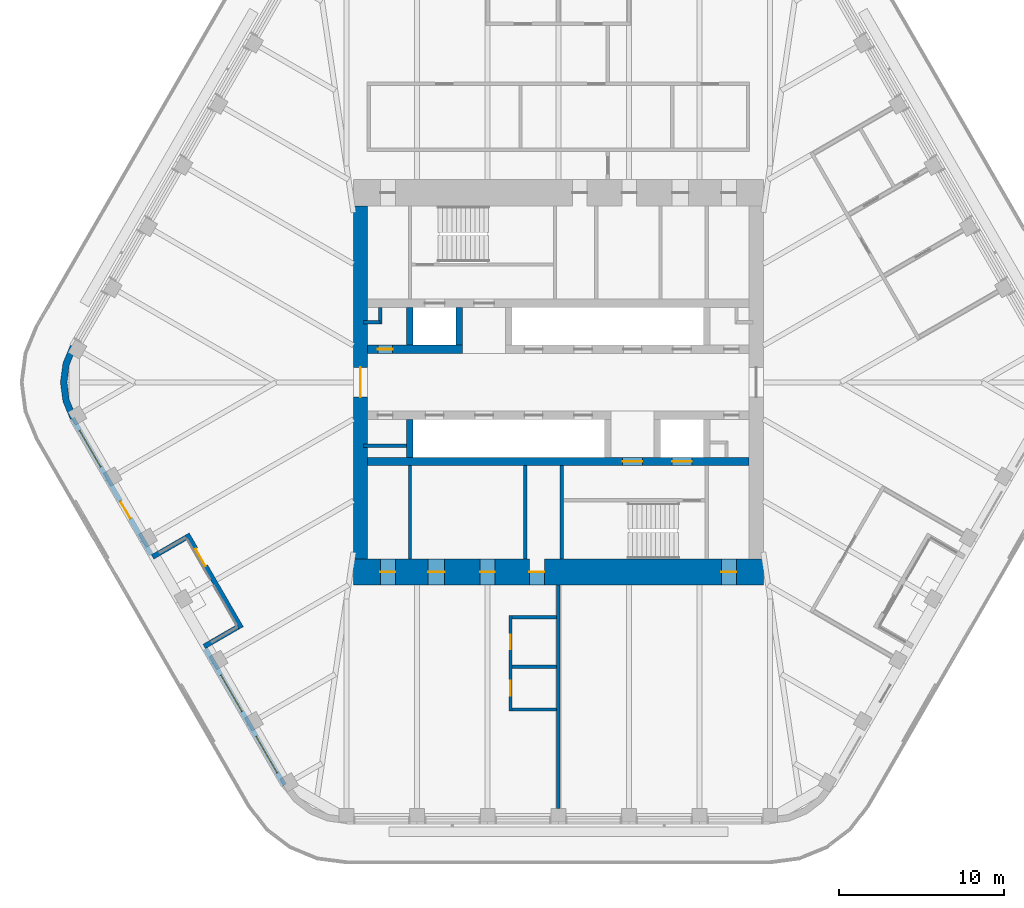
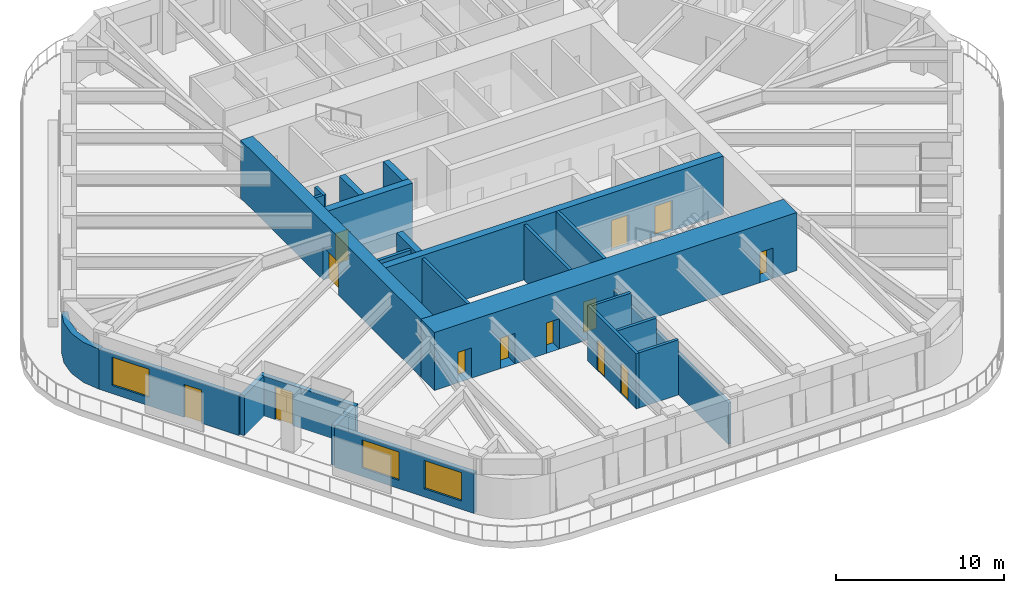
# One storey, part 13 of 19: 24 walls, 13 doors, 3 windows, 16 openings.
"""IFC4 building model written with IfcOpenShell, lengths in metres."""

from ifc_helpers import new_model, si_unit, direction, frame, frame_2d, origin, place, context, subcontext, project, spatial, polyline, rectangle, outline, extrude, material, layer, layer_set, type_object, element, fill, save


model = new_model("IFC4")

# Units and contexts
model_context = context("Model", 3, precision=1e-05, world=origin(), true_north=direction((0.0, 1.0)))
body_context = subcontext(model_context, "Body", "Model", "MODEL_VIEW")
ifc_project = project(units=[si_unit("LENGTHUNIT", "METRE"), si_unit("AREAUNIT", "SQUARE_METRE"), si_unit("VOLUMEUNIT", "CUBIC_METRE"), si_unit("PLANEANGLEUNIT", "RADIAN"), si_unit("MASSUNIT", "GRAM", prefix="KILO")], contexts=[model_context])

# Site, building, storey
site_placement = place(None, origin())
site = spatial("IfcSite", under=ifc_project, at=site_placement, CompositionType="ELEMENT")
building_placement = place(site_placement, origin())
building = spatial("IfcBuilding", under=site, at=building_placement, Name="Tarfa Lantern Tower", CompositionType="ELEMENT")
storey_placement = place(building_placement, frame((0.0, 0.0, 370.300048828125)))
storey = spatial("IfcBuildingStorey", under=building, at=storey_placement, Name="L84", CompositionType="ELEMENT", Elevation=370.300048828125)

# Wall, openings, door, window
ifc_material_1 = material(Name="Limestone cladding on blockwork", Category="masonry")
ifc_layer_1 = layer(ifc_material_1, 0.300048828125)
ifc_layer_set_1 = layer_set([ifc_layer_1], Name="EW1 STONE-CLAD WALL 300")
wall_type_1 = type_object("IfcWallType", Name="EW1 STONE-CLAD WALL 300", PredefinedType="SOLIDWALL", material=ifc_layer_set_1)
wall_1_placement = place(storey_placement, frame((-29.459228515625, -2.175048828125, 0.0), z_axis=(0.0, 0.0, 1.0), x_axis=(0.499996453679, -0.866027451244, 0.0)))
wall_1 = element("IfcWall", 1, at=wall_1_placement, inside=storey, type_object=wall_type_1, Name="Stone wall SW", PredefinedType="SOLIDWALL", context=body_context, shape_type="SweptSolid", body=[
    extrude(rectangle(XDim=9.56396484375, YDim=0.300048828125, at=frame_2d((4.781982421875, 0.0))), origin(), (0.0, 0.0, 1.0), 2.89990234375),
])
opening_1_placement = place(wall_1_placement, frame((0.865966796875, 0.0, 0.60009765625)))
opening_1 = element("IfcOpeningElement", 2, at=opening_1_placement, cuts=wall_1, Name="Opening W17", PredefinedType="OPENING", context=body_context, shape_type="SweptSolid", body=[
    extrude(rectangle(XDim=2.550048828125, YDim=2.050048828125, at=frame_2d((1.27490234375, 1.02490234375))), frame((0.0, 0.159912109375, 0.0), z_axis=(0.0, -1.0, 0.0), x_axis=(1.0, 0.0, 0.0)), (0.0, 0.0, 1.0), 0.320068359375),
])
opening_2_placement = place(wall_1_placement, frame((5.822998046875, 0.0, 0.0)))
opening_2 = element("IfcOpeningElement", 3, at=opening_2_placement, cuts=wall_1, Name="Opening D38", PredefinedType="OPENING", context=body_context, shape_type="SweptSolid", body=[
    extrude(rectangle(XDim=1.199951171875, YDim=2.39990234375, at=frame_2d((0.60009765625, 1.199951171875))), frame((0.0, 0.159912109375, 0.0), z_axis=(0.0, -1.0, 0.0), x_axis=(1.0, 0.0, 0.0)), (0.0, 0.0, 1.0), 0.320068359375),
])
ifc_material_2 = material(Name="Aluminium framed glazed door", Category="aluminium")
door_type_1 = type_object("IfcDoorType", Name="BE3 BALCONY DOOR 1200x2400", OperationType="SINGLE_SWING_RIGHT", PredefinedType="DOOR", material=ifc_material_2)
door_1_placement = place(opening_2_placement, origin())
door_1 = element("IfcDoor", 4, at=door_1_placement, inside=storey, type_object=door_type_1, Name="Balcony door SW", OperationType="SINGLE_SWING_LEFT", OverallHeight=2.39990234375, OverallWidth=1.199951171875, PredefinedType="DOOR", context=body_context, shape_type="SweptSolid", body=[
    extrude(rectangle(XDim=1.199951171875, YDim=2.39990234375, at=frame_2d((0.60009765625, 1.199951171875))), frame((0.0, 0.02490234375, 0.0), z_axis=(0.0, -1.0, 0.0), x_axis=(1.0, 0.0, 0.0)), (0.0, 0.0, 1.0), 0.050048828125),
])
fill(opening_2, door_1)
ifc_material_3 = material(Name="Aluminium frame, double glazed", Category="aluminium")
window_type = type_object("IfcWindowType", Name="W17 FULL-HEIGHT GLAZING 2550x2050", PartitioningType="SINGLE_PANEL", PredefinedType="WINDOW", material=ifc_material_3)
window_1_placement = place(opening_1_placement, origin())
window_1 = element("IfcWindow", 5, at=window_1_placement, inside=storey, type_object=window_type, Name="Window SW 1", OverallHeight=2.050048828125, OverallWidth=2.550048828125, PartitioningType="SINGLE_PANEL", PredefinedType="WINDOW", context=body_context, shape_type="SweptSolid", body=[
    extrude(rectangle(XDim=2.550048828125, YDim=2.050048828125, at=frame_2d((1.27490234375, 1.02490234375))), frame((0.0, 0.030029296875, 0.0), z_axis=(0.0, -1.0, 0.0), x_axis=(1.0, 0.0, 0.0)), (0.0, 0.0, 1.0), 0.06005859375),
])
fill(opening_1, window_1)

# Wall, openings, windows
wall_2_placement = place(storey_placement, frame((-21.395263671875, -16.142333984375, 0.0), z_axis=(0.0, 0.0, 1.0), x_axis=(0.499996453679, -0.866027451244, 0.0)))
wall_2 = element("IfcWall", 6, at=wall_2_placement, inside=storey, type_object=wall_type_1, Name="Stone wall SWB", PredefinedType="SOLIDWALL", context=body_context, shape_type="SweptSolid", body=[
    extrude(rectangle(XDim=9.56396484375, YDim=0.300048828125, at=frame_2d((4.781982421875, 0.0))), origin(), (0.0, 0.0, 1.0), 2.89990234375),
])
opening_3_placement = place(wall_2_placement, frame((1.865966796875, 0.0, 0.60009765625)))
opening_3 = element("IfcOpeningElement", 7, at=opening_3_placement, cuts=wall_2, Name="Opening W17", PredefinedType="OPENING", context=body_context, shape_type="SweptSolid", body=[
    extrude(rectangle(XDim=2.550048828125, YDim=2.050048828125, at=frame_2d((1.27490234375, 1.02490234375))), frame((0.0, 0.159912109375, 0.0), z_axis=(0.0, -1.0, 0.0), x_axis=(1.0, 0.0, 0.0)), (0.0, 0.0, 1.0), 0.320068359375),
])
opening_4_placement = place(wall_2_placement, frame((6.14794921875, 0.0, 0.60009765625)))
opening_4 = element("IfcOpeningElement", 8, at=opening_4_placement, cuts=wall_2, Name="Opening W17", PredefinedType="OPENING", context=body_context, shape_type="SweptSolid", body=[
    extrude(rectangle(XDim=2.550048828125, YDim=2.050048828125, at=frame_2d((1.27490234375, 1.02490234375))), frame((0.0, 0.159912109375, 0.0), z_axis=(0.0, -1.0, 0.0), x_axis=(1.0, 0.0, 0.0)), (0.0, 0.0, 1.0), 0.320068359375),
])
window_2_placement = place(opening_3_placement, origin())
window_2 = element("IfcWindow", 9, at=window_2_placement, inside=storey, type_object=window_type, Name="Window SWB 1", OverallHeight=2.050048828125, OverallWidth=2.550048828125, PartitioningType="SINGLE_PANEL", PredefinedType="WINDOW", context=body_context, shape_type="SweptSolid", body=[
    extrude(rectangle(XDim=2.550048828125, YDim=2.050048828125, at=frame_2d((1.27490234375, 1.02490234375))), frame((0.0, 0.030029296875, 0.0), z_axis=(0.0, -1.0, 0.0), x_axis=(1.0, 0.0, 0.0)), (0.0, 0.0, 1.0), 0.06005859375),
])
fill(opening_3, window_2)
window_3_placement = place(opening_4_placement, origin())
window_3 = element("IfcWindow", 10, at=window_3_placement, inside=storey, type_object=window_type, Name="Window SWB 2", OverallHeight=2.050048828125, OverallWidth=2.550048828125, PartitioningType="SINGLE_PANEL", PredefinedType="WINDOW", context=body_context, shape_type="SweptSolid", body=[
    extrude(rectangle(XDim=2.550048828125, YDim=2.050048828125, at=frame_2d((1.27490234375, 1.02490234375))), frame((0.0, 0.030029296875, 0.0), z_axis=(0.0, -1.0, 0.0), x_axis=(1.0, 0.0, 0.0)), (0.0, 0.0, 1.0), 0.06005859375),
])
fill(opening_4, window_3)

# Walls
for number, where, z_axis, x_axis, name in (
    (11, (-24.602294921875, -10.587646484375, 0.0), (0.0, 0.0, 1.0), (0.866016039709, 0.500016218704, 0.0), "Terrace return SW 1"),
    (12, (-21.47021484375, -16.012451171875, 0.0), (0.0, 0.0, 1.0), (0.866016039709, 0.500016218704, 0.0), "Terrace return SW 2"),
):
    element("IfcWall", number, at=place(storey_placement, frame(where, z_axis=z_axis, x_axis=x_axis)), inside=storey, type_object=wall_type_1, Name=name, PredefinedType="SOLIDWALL", context=body_context, shape_type="SweptSolid", body=[
        extrude(rectangle(XDim=2.35009765625, YDim=0.300048828125, at=frame_2d((1.175048828125, 0.0))), origin(), (0.0, 0.0, 1.0), 2.89990234375),
    ])

# Wall, opening, door
wall_3_placement = place(storey_placement, frame((-22.51220703125, -9.207763671875, 0.0), z_axis=(0.0, 0.0, 1.0), x_axis=(0.499999339774, -0.866025784966, 0.0)))
wall_3 = element("IfcWall", 13, at=wall_3_placement, inside=storey, type_object=wall_type_1, Name="Stone wall SWS", PredefinedType="SOLIDWALL", context=body_context, shape_type="SweptSolid", body=[
    extrude(rectangle(XDim=6.56396484375, YDim=0.300048828125, at=frame_2d((3.281982421875, 0.0))), origin(), (0.0, 0.0, 1.0), 2.89990234375),
])
opening_5_placement = place(wall_3_placement, frame((1.041015625, 0.0, 0.0)))
opening_5 = element("IfcOpeningElement", 14, at=opening_5_placement, cuts=wall_3, Name="Opening D39", PredefinedType="OPENING", context=body_context, shape_type="SweptSolid", body=[
    extrude(rectangle(XDim=1.199951171875, YDim=2.39990234375, at=frame_2d((0.60009765625, 1.199951171875))), frame((0.0, 0.159912109375, 0.0), z_axis=(0.0, -1.0, 0.0), x_axis=(1.0, 0.0, 0.0)), (0.0, 0.0, 1.0), 0.320068359375),
])
door_2_placement = place(opening_5_placement, origin())
door_2 = element("IfcDoor", 15, at=door_2_placement, inside=storey, type_object=door_type_1, Name="Balcony door SWS", OperationType="SINGLE_SWING_RIGHT", OverallHeight=2.39990234375, OverallWidth=1.199951171875, PredefinedType="DOOR", context=body_context, shape_type="SweptSolid", body=[
    extrude(rectangle(XDim=1.199951171875, YDim=2.39990234375, at=frame_2d((0.60009765625, 1.199951171875))), frame((0.0, 0.02490234375, 0.0), z_axis=(0.0, -1.0, 0.0), x_axis=(1.0, 0.0, 0.0)), (0.0, 0.0, 1.0), 0.050048828125),
])
fill(opening_5, door_2)

# Walls
ifc_layer_2 = layer(ifc_material_1, 0.39990234375)
ifc_layer_set_2 = layer_set([ifc_layer_2], Name="EW2 CURVED STONE CORNER 400")
wall_type_2 = type_object("IfcWallType", Name="EW2 CURVED STONE CORNER 400", PredefinedType="SOLIDWALL", material=ifc_layer_set_2)
wall_4_placement = place(storey_placement, origin())
element("IfcWall", 16, at=wall_4_placement, inside=storey, type_object=wall_type_2, Name="Stone corner NW-SW", PredefinedType="SOLIDWALL", context=body_context, shape_type="SweptSolid", body=[
    extrude(outline(polyline([(-29.589111328125, 2.25), (-30.038818359375, 1.164794921875), (-30.192138671875, 0.0), (-30.038818359375, -1.164794921875), (-29.589111328125, -2.25), (-29.24267578125, -2.050048828125), (-29.65234375, -1.061279296875), (-29.7919921875, 0.0), (-29.65234375, 1.061279296875), (-29.24267578125, 2.050048828125), (-29.589111328125, 2.25)])), origin(), (0.0, 0.0, 1.0), 2.89990234375),
])
ifc_material_4 = material(Name="Concrete blockwork", Category="masonry")
ifc_layer_3 = layer(ifc_material_4, 0.199951171875)
ifc_layer_set_3 = layer_set([ifc_layer_3], Name="IW1 BLOCKWORK PARTITION 200 EI 120")
wall_type_3 = type_object("IfcWallType", Name="IW1 BLOCKWORK PARTITION 200 EI 120", PredefinedType="PARTITIONING", material=ifc_layer_set_3)
for number, where, z_axis, x_axis, name in (
    (17, (-9.0, -5.050048828125, 0.0), (0.0, 0.0, 1.0), (0.0, -1.0, 0.0), "Core partition"),
    (18, (-2.0, -5.050048828125, 0.0), (0.0, 0.0, 1.0), (0.0, -1.0, 0.0), "Core partition"),
):
    element("IfcWall", number, at=place(storey_placement, frame(where, z_axis=z_axis, x_axis=x_axis)), inside=storey, type_object=wall_type_3, Name=name, PredefinedType="PARTITIONING", context=body_context, shape_type="SweptSolid", body=[
        extrude(rectangle(XDim=5.64990234375, YDim=0.199951171875, at=frame_2d((2.824951171875, 0.0))), origin(), (0.0, 0.0, 1.0), 4.0),
    ])
for number, where, z_axis, x_axis, name in (
    (19, (-11.800048828125, 3.64990234375, 0.0), (0.0, 0.0, 1.0), (1.0, 0.0, 0.0), "Core partition"),
    (20, (-10.800048828125, 3.550048828125, 0.0), (0.0, 0.0, 1.0), (0.0, 1.0, 0.0), "Core partition"),
):
    element("IfcWall", number, at=place(storey_placement, frame(where, z_axis=z_axis, x_axis=x_axis)), inside=storey, type_object=wall_type_3, Name=name, PredefinedType="PARTITIONING", context=body_context, shape_type="SweptSolid", body=[
        extrude(rectangle(XDim=1.0, YDim=0.199951171875, at=frame_2d((0.5, 0.0))), origin(), (0.0, 0.0, 1.0), 4.0),
    ])
wall_5_placement = place(storey_placement, frame((-9.199951171875, -3.85009765625, 0.0), z_axis=(0.0, 0.0, 1.0), x_axis=(-1.0, 0.0, 0.0)))
element("IfcWall", 21, at=wall_5_placement, inside=storey, type_object=wall_type_3, Name="Core partition", PredefinedType="PARTITIONING", context=body_context, shape_type="SweptSolid", body=[
    extrude(rectangle(XDim=2.60009765625, YDim=0.199951171875, at=frame_2d((1.300048828125, 0.0))), origin(), (0.0, 0.0, 1.0), 4.0),
])
ifc_material_5 = material(Name="Gypsum board on steel studs", Category="steel")
ifc_layer_4 = layer(ifc_material_5, 0.2099609375)
ifc_layer_set_4 = layer_set([ifc_layer_4], Name="IW2 ACOUSTIC PARTITION 200")
wall_type_4 = type_object("IfcWallType", Name="IW2 ACOUSTIC PARTITION 200", PredefinedType="PARTITIONING", material=ifc_layer_set_4)
wall_6_placement = place(storey_placement, frame((0.0, -12.300048828125, 0.0), z_axis=(0.0, 0.0, 1.0), x_axis=(0.0, -1.0, 0.0)))
element("IfcWall", 22, at=wall_6_placement, inside=storey, type_object=wall_type_4, Name="Partition", PredefinedType="PARTITIONING", context=body_context, shape_type="SweptSolid", body=[
    extrude(rectangle(XDim=13.550048828125, YDim=0.199951171875, at=frame_2d((6.77490234375, 0.0))), origin(), (0.0, 0.0, 1.0), 2.991943359375),
])

# Wall, openings, doors
wall_7_placement = place(storey_placement, frame((-2.89990234375, -14.142578125, 0.0), z_axis=(0.0, 0.0, 1.0), x_axis=(0.0, -1.0, 0.0)))
wall_7 = element("IfcWall", 23, at=wall_7_placement, inside=storey, type_object=wall_type_4, Name="Partition", PredefinedType="PARTITIONING", context=body_context, shape_type="SweptSolid", body=[
    extrude(rectangle(XDim=5.7998046875, YDim=0.199951171875, at=frame_2d((2.89990234375, 0.0))), origin(), (0.0, 0.0, 1.0), 4.0),
])
opening_6_placement = place(wall_7_placement, frame((1.14990234375, 0.0, 0.0)))
opening_6 = element("IfcOpeningElement", 24, at=opening_6_placement, cuts=wall_7, Name="Opening D31", PredefinedType="OPENING", context=body_context, shape_type="SweptSolid", body=[
    extrude(rectangle(XDim=0.89990234375, YDim=2.199951171875, at=frame_2d((0.449951171875, 1.10009765625))), frame((0.0, 0.10986328125, 0.0), z_axis=(0.0, -1.0, 0.0), x_axis=(1.0, 0.0, 0.0)), (0.0, 0.0, 1.0), 0.219970703125),
])
opening_7_placement = place(wall_7_placement, frame((3.949951171875, 0.0, 0.0)))
opening_7 = element("IfcOpeningElement", 25, at=opening_7_placement, cuts=wall_7, Name="Opening D32", PredefinedType="OPENING", context=body_context, shape_type="SweptSolid", body=[
    extrude(rectangle(XDim=0.89990234375, YDim=2.199951171875, at=frame_2d((0.449951171875, 1.10009765625))), frame((0.0, 0.10986328125, 0.0), z_axis=(0.0, -1.0, 0.0), x_axis=(1.0, 0.0, 0.0)), (0.0, 0.0, 1.0), 0.219970703125),
])
ifc_material_6 = material(Name="Timber door", Category="wood")
door_type_2 = type_object("IfcDoorType", Name="DR3 ROOM DOOR 900x2200", OperationType="SINGLE_SWING_LEFT", PredefinedType="DOOR", material=ifc_material_6)
door_3_placement = place(opening_6_placement, origin())
door_3 = element("IfcDoor", 26, at=door_3_placement, inside=storey, type_object=door_type_2, Name="Wellness room door", OperationType="SINGLE_SWING_RIGHT", OverallHeight=2.199951171875, OverallWidth=0.89990234375, PredefinedType="DOOR", context=body_context, shape_type="SweptSolid", body=[
    extrude(rectangle(XDim=0.89990234375, YDim=2.199951171875, at=frame_2d((0.449951171875, 1.10009765625))), frame((0.0, 0.02490234375, 0.0), z_axis=(0.0, -1.0, 0.0), x_axis=(1.0, 0.0, 0.0)), (0.0, 0.0, 1.0), 0.050048828125),
])
fill(opening_6, door_3)
door_4_placement = place(opening_7_placement, origin())
door_4 = element("IfcDoor", 27, at=door_4_placement, inside=storey, type_object=door_type_2, Name="Quiet room door", OperationType="SINGLE_SWING_LEFT", OverallHeight=2.199951171875, OverallWidth=0.89990234375, PredefinedType="DOOR", context=body_context, shape_type="SweptSolid", body=[
    extrude(rectangle(XDim=0.89990234375, YDim=2.199951171875, at=frame_2d((0.449951171875, 1.10009765625))), frame((0.0, 0.02490234375, 0.0), z_axis=(0.0, -1.0, 0.0), x_axis=(1.0, 0.0, 0.0)), (0.0, 0.0, 1.0), 0.050048828125),
])
fill(opening_7, door_4)

# Walls
for number, where, z_axis, x_axis, name in (
    (28, (-0.10009765625, -14.242431640625, 0.0), (0.0, 0.0, 1.0), (-1.0, 0.0, 0.0), "Partition"),
    (29, (-0.10009765625, -17.242431640625, 0.0), (0.0, 0.0, 1.0), (-1.0, 0.0, 0.0), "Partition"),
    (30, (-0.10009765625, -19.842529296875, 0.0), (0.0, 0.0, 1.0), (-1.0, 0.0, 0.0), "Partition"),
):
    element("IfcWall", number, at=place(storey_placement, frame(where, z_axis=z_axis, x_axis=x_axis)), inside=storey, type_object=wall_type_4, Name=name, PredefinedType="PARTITIONING", context=body_context, shape_type="SweptSolid", body=[
        extrude(rectangle(XDim=2.699951171875, YDim=0.199951171875, at=frame_2d((1.35009765625, 0.0))), origin(), (0.0, 0.0, 1.0), 4.0),
    ])
ifc_material_7 = material(Name="Concrete C80/95", Category="concrete")
ifc_layer_5 = layer(ifc_material_7, 0.199951171875)
ifc_layer_set_5 = layer_set([ifc_layer_5], Name="SW12 CORE WALL 200")
wall_type_5 = type_object("IfcWallType", Name="SW12 CORE WALL 200", PredefinedType="SHEAR", material=ifc_layer_set_5)
wall_8_placement = place(storey_placement, frame((0.199951171875, -5.050048828125, 0.0), z_axis=(0.0, 0.0, 1.0), x_axis=(0.0, -1.0, 0.0)))
element("IfcWall", 31, at=wall_8_placement, inside=storey, type_object=wall_type_5, Name="Core wall stair shaft S", PredefinedType="SHEAR", context=body_context, shape_type="SweptSolid", body=[
    extrude(rectangle(XDim=5.64990234375, YDim=0.199951171875, at=frame_2d((2.824951171875, 0.0))), origin(), (0.0, 0.0, 1.0), 4.199951171875),
])

# Wall, opening, door
ifc_layer_6 = layer(ifc_material_7, 0.85009765625)
ifc_layer_set_6 = layer_set([ifc_layer_6], Name="SW3 CORE WALL 850")
wall_type_6 = type_object("IfcWallType", Name="SW3 CORE WALL 850", PredefinedType="SHEAR", material=ifc_layer_set_6)
wall_9_placement = place(storey_placement, frame((-12.0, 10.699951171875, 0.0), z_axis=(0.0, 0.0, 1.0), x_axis=(0.0, -1.0, 0.0)))
wall_9 = element("IfcWall", 32, at=wall_9_placement, inside=storey, type_object=wall_type_6, Name="Core wall W", PredefinedType="SHEAR", context=body_context, shape_type="SweptSolid", body=[
    extrude(rectangle(XDim=21.39990234375, YDim=0.85009765625, at=frame_2d((10.699951171875, 0.0))), origin(), (0.0, 0.0, 1.0), 4.199951171875),
])
opening_8_placement = place(wall_9_placement, frame((9.800048828125, 0.0, 0.0)))
opening_8 = element("IfcOpeningElement", 33, at=opening_8_placement, cuts=wall_9, Name="Opening D08", PredefinedType="OPENING", context=body_context, shape_type="SweptSolid", body=[
    extrude(rectangle(XDim=1.800048828125, YDim=2.39990234375, at=frame_2d((0.89990234375, 1.199951171875))), frame((0.0, 0.43505859375, 0.0), z_axis=(0.0, -1.0, 0.0), x_axis=(1.0, 0.0, 0.0)), (0.0, 0.0, 1.0), 0.8701171875),
])
ifc_material_8 = material(Name="Steel fire door", Category="steel")
door_type_3 = type_object("IfcDoorType", Name="DL1 LOBBY DOOR 1800x2400", OperationType="DOUBLE_DOOR_SINGLE_SWING", PredefinedType="DOOR", material=ifc_material_8)
door_5_placement = place(opening_8_placement, frame((1.800048828125, 0.0, 0.0), z_axis=(0.0, 0.0, 1.0), x_axis=(-1.0, 0.0, 0.0)))
door_5 = element("IfcDoor", 34, at=door_5_placement, inside=storey, type_object=door_type_3, Name="Lift lobby door", OperationType="DOUBLE_DOOR_SINGLE_SWING", OverallHeight=2.39990234375, OverallWidth=1.800048828125, PredefinedType="DOOR", context=body_context, shape_type="SweptSolid", body=[
    extrude(rectangle(XDim=1.800048828125, YDim=2.39990234375, at=frame_2d((0.89990234375, 1.199951171875))), frame((0.0, 0.02490234375, 0.0), z_axis=(0.0, -1.0, 0.0), x_axis=(1.0, 0.0, 0.0)), (0.0, 0.0, 1.0), 0.050048828125),
])
fill(opening_8, door_5)

ifc_layer_7 = layer(ifc_material_7, 0.5)
ifc_layer_set_7 = layer_set([ifc_layer_7], Name="SW5 CORE WALL 500")
wall_type_7 = type_object("IfcWallType", Name="SW5 CORE WALL 500", PredefinedType="SHEAR", material=ifc_layer_set_7)
wall_10_placement = place(storey_placement, frame((-11.574951171875, 2.0, 0.0), z_axis=(0.0, 0.0, 1.0), x_axis=(1.0, 0.0, 0.0)))
wall_10 = element("IfcWall", 35, at=wall_10_placement, inside=storey, type_object=wall_type_7, Name="Core wall lobby west N", PredefinedType="SHEAR", context=body_context, shape_type="SweptSolid", body=[
    extrude(rectangle(XDim=5.77490234375, YDim=0.5, at=frame_2d((2.887451171875, 0.0))), origin(), (0.0, 0.0, 1.0), 4.199951171875),
])
opening_9_placement = place(wall_10_placement, frame((0.625, 0.0, 0.0)))
opening_9 = element("IfcOpeningElement", 36, at=opening_9_placement, cuts=wall_10, Name="Opening D11", PredefinedType="OPENING", context=body_context, shape_type="SweptSolid", body=[
    extrude(rectangle(XDim=0.89990234375, YDim=2.199951171875, at=frame_2d((0.449951171875, 1.10009765625))), frame((0.0, 0.260009765625, 0.0), z_axis=(0.0, -1.0, 0.0), x_axis=(1.0, 0.0, 0.0)), (0.0, 0.0, 1.0), 0.52001953125),
])
door_type_4 = type_object("IfcDoorType", Name="DF6 SERVICE ROOM DOOR 900x2200", OperationType="SINGLE_SWING_LEFT", PredefinedType="DOOR", material=ifc_material_8)
door_6_placement = place(opening_9_placement, origin())
door_6 = element("IfcDoor", 37, at=door_6_placement, inside=storey, type_object=door_type_4, Name="Service room door", OperationType="SINGLE_SWING_RIGHT", OverallHeight=2.199951171875, OverallWidth=0.89990234375, PredefinedType="DOOR", context=body_context, shape_type="SweptSolid", body=[
    extrude(rectangle(XDim=0.89990234375, YDim=2.199951171875, at=frame_2d((0.449951171875, 1.10009765625))), frame((0.0, 0.02490234375, 0.0), z_axis=(0.0, -1.0, 0.0), x_axis=(1.0, 0.0, 0.0)), (0.0, 0.0, 1.0), 0.050048828125),
])
fill(opening_9, door_6)

# Wall, openings, doors
wall_11_placement = place(storey_placement, frame((11.574951171875, -4.800048828125, 0.0), z_axis=(0.0, 0.0, 1.0), x_axis=(-1.0, 0.0, 0.0)))
wall_11 = element("IfcWall", 38, at=wall_11_placement, inside=storey, type_object=wall_type_7, Name="Core wall rear S", PredefinedType="SHEAR", context=body_context, shape_type="SweptSolid", body=[
    extrude(rectangle(XDim=23.14990234375, YDim=0.5, at=frame_2d((11.574951171875, 0.0))), origin(), (0.0, 0.0, 1.0), 4.199951171875),
])
opening_10_placement = place(wall_11_placement, frame((6.47509765625, 0.0, 0.0)))
opening_10 = element("IfcOpeningElement", 39, at=opening_10_placement, cuts=wall_11, Name="Opening D06", PredefinedType="OPENING", context=body_context, shape_type="SweptSolid", body=[
    extrude(rectangle(XDim=1.199951171875, YDim=2.199951171875, at=frame_2d((0.60009765625, 1.10009765625))), frame((0.0, 0.260009765625, 0.0), z_axis=(0.0, -1.0, 0.0), x_axis=(1.0, 0.0, 0.0)), (0.0, 0.0, 1.0), 0.52001953125),
])
opening_11_placement = place(wall_11_placement, frame((3.47509765625, 0.0, 0.0)))
opening_11 = element("IfcOpeningElement", 40, at=opening_11_placement, cuts=wall_11, Name="Opening LD02", PredefinedType="OPENING", context=body_context, shape_type="SweptSolid", body=[
    extrude(rectangle(XDim=1.199951171875, YDim=2.199951171875, at=frame_2d((0.60009765625, 1.10009765625))), frame((0.0, 0.260009765625, 0.0), z_axis=(0.0, -1.0, 0.0), x_axis=(1.0, 0.0, 0.0)), (0.0, 0.0, 1.0), 0.52001953125),
])
door_type_5 = type_object("IfcDoorType", Name="DF1 FIREFIGHTING LOBBY DOOR 1200x2200", OperationType="SINGLE_SWING_LEFT", PredefinedType="DOOR", material=ifc_material_8)
door_7_placement = place(opening_10_placement, origin())
door_7 = element("IfcDoor", 41, at=door_7_placement, inside=storey, type_object=door_type_5, Name="Firefighting lobby door", OperationType="SINGLE_SWING_LEFT", OverallHeight=2.199951171875, OverallWidth=1.199951171875, PredefinedType="DOOR", context=body_context, shape_type="SweptSolid", body=[
    extrude(rectangle(XDim=1.199951171875, YDim=2.199951171875, at=frame_2d((0.60009765625, 1.10009765625))), frame((0.0, 0.02490234375, 0.0), z_axis=(0.0, -1.0, 0.0), x_axis=(1.0, 0.0, 0.0)), (0.0, 0.0, 1.0), 0.050048828125),
])
fill(opening_10, door_7)
ifc_material_9 = material(Name="Stainless steel lift door", Category="steel")
door_type_6 = type_object("IfcDoorType", Name="LD1 LIFT LANDING DOOR 1200x2200", OperationType="SLIDING_TO_LEFT", PredefinedType="DOOR", material=ifc_material_9)
door_8_placement = place(opening_11_placement, origin())
door_8 = element("IfcDoor", 42, at=door_8_placement, inside=storey, type_object=door_type_6, Name="Landing door FL2", OperationType="SLIDING_TO_LEFT", OverallHeight=2.199951171875, OverallWidth=1.199951171875, PredefinedType="DOOR", context=body_context, shape_type="SweptSolid", body=[
    extrude(rectangle(XDim=1.199951171875, YDim=2.199951171875, at=frame_2d((0.60009765625, 1.10009765625))), frame((0.0, 0.02490234375, 0.0), z_axis=(0.0, -1.0, 0.0), x_axis=(1.0, 0.0, 0.0)), (0.0, 0.0, 1.0), 0.050048828125),
])
fill(opening_11, door_8)

# Walls
ifc_layer_8 = layer(ifc_material_7, 0.39990234375)
ifc_layer_set_8 = layer_set([ifc_layer_8], Name="SW6 CORE WALL 400")
wall_type_8 = type_object("IfcWallType", Name="SW6 CORE WALL 400", PredefinedType="SHEAR", material=ifc_layer_set_8)
for number, where, z_axis, x_axis, name in (
    (43, (-9.0, 2.25, 0.0), (0.0, 0.0, 1.0), (0.0, 1.0, 0.0), "Core wall divider N"),
    (44, (-6.0, 2.25, 0.0), (0.0, 0.0, 1.0), (0.0, 1.0, 0.0), "Core wall divider N"),
    (45, (-9.0, -2.25, 0.0), (0.0, 0.0, 1.0), (0.0, -1.0, 0.0), "Core wall divider S"),
):
    element("IfcWall", number, at=place(storey_placement, frame(where, z_axis=z_axis, x_axis=x_axis)), inside=storey, type_object=wall_type_8, Name=name, PredefinedType="SHEAR", context=body_context, shape_type="SweptSolid", body=[
        extrude(rectangle(XDim=2.300048828125, YDim=0.39990234375, at=frame_2d((1.14990234375, 0.0))), origin(), (0.0, 0.0, 1.0), 4.199951171875),
    ])

# Wall, openings, doors
ifc_layer_9 = layer(ifc_material_7, 1.60009765625)
ifc_layer_set_9 = layer_set([ifc_layer_9], Name="SW7 CORE WALL 1600")
wall_type_9 = type_object("IfcWallType", Name="SW7 CORE WALL 1600", PredefinedType="SHEAR", material=ifc_layer_set_9)
wall_12_placement = place(storey_placement, frame((12.425048828125, -11.5, 0.0), z_axis=(0.0, 0.0, 1.0), x_axis=(-1.0, 0.0, 0.0)))
wall_12 = element("IfcWall", 46, at=wall_12_placement, inside=storey, type_object=wall_type_9, Name="Core wall S", PredefinedType="SHEAR", context=body_context, shape_type="SweptSolid", body=[
    extrude(rectangle(XDim=24.85009765625, YDim=1.60009765625, at=frame_2d((12.425048828125, 0.0))), origin(), (0.0, 0.0, 1.0), 4.199951171875),
])
opening_12_placement = place(wall_12_placement, frame((13.27490234375, 0.0, 0.0)))
opening_12 = element("IfcOpeningElement", 47, at=opening_12_placement, cuts=wall_12, Name="Opening D14", PredefinedType="OPENING", context=body_context, shape_type="SweptSolid", body=[
    extrude(rectangle(XDim=0.89990234375, YDim=2.199951171875, at=frame_2d((0.449951171875, 1.10009765625))), frame((0.0, 0.81005859375, 0.0), z_axis=(0.0, -1.0, 0.0), x_axis=(1.0, 0.0, 0.0)), (0.0, 0.0, 1.0), 1.6201171875),
])
opening_13_placement = place(wall_12_placement, frame((16.27490234375, 0.0, 0.0)))
opening_13 = element("IfcOpeningElement", 48, at=opening_13_placement, cuts=wall_12, Name="Opening D16", PredefinedType="OPENING", context=body_context, shape_type="SweptSolid", body=[
    extrude(rectangle(XDim=0.89990234375, YDim=2.199951171875, at=frame_2d((0.449951171875, 1.10009765625))), frame((0.0, 0.81005859375, 0.0), z_axis=(0.0, -1.0, 0.0), x_axis=(1.0, 0.0, 0.0)), (0.0, 0.0, 1.0), 1.6201171875),
])
opening_14_placement = place(wall_12_placement, frame((19.324951171875, 0.0, 0.0)))
opening_14 = element("IfcOpeningElement", 49, at=opening_14_placement, cuts=wall_12, Name="Opening D18", PredefinedType="OPENING", context=body_context, shape_type="SweptSolid", body=[
    extrude(rectangle(XDim=1.0, YDim=2.199951171875, at=frame_2d((0.5, 1.10009765625))), frame((0.0, 0.81005859375, 0.0), z_axis=(0.0, -1.0, 0.0), x_axis=(1.0, 0.0, 0.0)), (0.0, 0.0, 1.0), 1.6201171875),
])
opening_15_placement = place(wall_12_placement, frame((1.637451171875, 0.0, 0.0)))
opening_15 = element("IfcOpeningElement", 50, at=opening_15_placement, cuts=wall_12, Name="Opening D04", PredefinedType="OPENING", context=body_context, shape_type="SweptSolid", body=[
    extrude(rectangle(XDim=0.89990234375, YDim=2.199951171875, at=frame_2d((0.449951171875, 1.10009765625))), frame((0.0, 0.81005859375, 0.0), z_axis=(0.0, -1.0, 0.0), x_axis=(1.0, 0.0, 0.0)), (0.0, 0.0, 1.0), 1.6201171875),
])
opening_16_placement = place(wall_12_placement, frame((22.3125, 0.0, 0.0)))
opening_16 = element("IfcOpeningElement", 51, at=opening_16_placement, cuts=wall_12, Name="Opening D02", PredefinedType="OPENING", context=body_context, shape_type="SweptSolid", body=[
    extrude(rectangle(XDim=0.89990234375, YDim=2.199951171875, at=frame_2d((0.449951171875, 1.10009765625))), frame((0.0, 0.81005859375, 0.0), z_axis=(0.0, -1.0, 0.0), x_axis=(1.0, 0.0, 0.0)), (0.0, 0.0, 1.0), 1.6201171875),
])
door_type_7 = type_object("IfcDoorType", Name="DF3 CORE ROOM DOOR 900x2200", OperationType="SINGLE_SWING_LEFT", PredefinedType="DOOR", material=ifc_material_8)
door_9_placement = place(opening_12_placement, frame((0.89990234375, 0.0, 0.0), z_axis=(0.0, 0.0, 1.0), x_axis=(-1.0, 0.0, 0.0)))
door_9 = element("IfcDoor", 52, at=door_9_placement, inside=storey, type_object=door_type_7, Name="Core door", OperationType="SINGLE_SWING_RIGHT", OverallHeight=2.199951171875, OverallWidth=0.89990234375, PredefinedType="DOOR", context=body_context, shape_type="SweptSolid", body=[
    extrude(rectangle(XDim=0.89990234375, YDim=2.199951171875, at=frame_2d((0.449951171875, 1.10009765625))), frame((0.0, 0.02490234375, 0.0), z_axis=(0.0, -1.0, 0.0), x_axis=(1.0, 0.0, 0.0)), (0.0, 0.0, 1.0), 0.050048828125),
])
fill(opening_12, door_9)
door_10_placement = place(opening_13_placement, frame((0.89990234375, 0.0, 0.0), z_axis=(0.0, 0.0, 1.0), x_axis=(-1.0, 0.0, 0.0)))
door_10 = element("IfcDoor", 53, at=door_10_placement, inside=storey, type_object=door_type_7, Name="Core door", OperationType="SINGLE_SWING_LEFT", OverallHeight=2.199951171875, OverallWidth=0.89990234375, PredefinedType="DOOR", context=body_context, shape_type="SweptSolid", body=[
    extrude(rectangle(XDim=0.89990234375, YDim=2.199951171875, at=frame_2d((0.449951171875, 1.10009765625))), frame((0.0, 0.02490234375, 0.0), z_axis=(0.0, -1.0, 0.0), x_axis=(1.0, 0.0, 0.0)), (0.0, 0.0, 1.0), 0.050048828125),
])
fill(opening_13, door_10)
door_type_8 = type_object("IfcDoorType", Name="DF4 CORE ROOM DOOR 1000x2200", OperationType="SINGLE_SWING_LEFT", PredefinedType="DOOR", material=ifc_material_8)
door_11_placement = place(opening_14_placement, frame((1.0, 0.0, 0.0), z_axis=(0.0, 0.0, 1.0), x_axis=(-1.0, 0.0, 0.0)))
door_11 = element("IfcDoor", 54, at=door_11_placement, inside=storey, type_object=door_type_8, Name="Core door", OperationType="SINGLE_SWING_RIGHT", OverallHeight=2.199951171875, OverallWidth=1.0, PredefinedType="DOOR", context=body_context, shape_type="SweptSolid", body=[
    extrude(rectangle(XDim=1.0, YDim=2.199951171875, at=frame_2d((0.5, 1.10009765625))), frame((0.0, 0.02490234375, 0.0), z_axis=(0.0, -1.0, 0.0), x_axis=(1.0, 0.0, 0.0)), (0.0, 0.0, 1.0), 0.050048828125),
])
fill(opening_14, door_11)
door_type_9 = type_object("IfcDoorType", Name="DF5 RISER DOOR 900x2200", OperationType="SINGLE_SWING_LEFT", PredefinedType="DOOR", material=ifc_material_8)
door_12_placement = place(opening_15_placement, frame((0.89990234375, 0.0, 0.0), z_axis=(0.0, 0.0, 1.0), x_axis=(-1.0, 0.0, 0.0)))
door_12 = element("IfcDoor", 55, at=door_12_placement, inside=storey, type_object=door_type_9, Name="Riser door", OperationType="SINGLE_SWING_LEFT", OverallHeight=2.199951171875, OverallWidth=0.89990234375, PredefinedType="DOOR", context=body_context, shape_type="SweptSolid", body=[
    extrude(rectangle(XDim=0.89990234375, YDim=2.199951171875, at=frame_2d((0.449951171875, 1.10009765625))), frame((0.0, 0.02490234375, 0.0), z_axis=(0.0, -1.0, 0.0), x_axis=(1.0, 0.0, 0.0)), (0.0, 0.0, 1.0), 0.050048828125),
])
fill(opening_15, door_12)
door_13_placement = place(opening_16_placement, frame((0.89990234375, 0.0, 0.0), z_axis=(0.0, 0.0, 1.0), x_axis=(-1.0, 0.0, 0.0)))
door_13 = element("IfcDoor", 56, at=door_13_placement, inside=storey, type_object=door_type_9, Name="Riser door", OperationType="SINGLE_SWING_RIGHT", OverallHeight=2.199951171875, OverallWidth=0.89990234375, PredefinedType="DOOR", context=body_context, shape_type="SweptSolid", body=[
    extrude(rectangle(XDim=0.89990234375, YDim=2.199951171875, at=frame_2d((0.449951171875, 1.10009765625))), frame((0.0, 0.02490234375, 0.0), z_axis=(0.0, -1.0, 0.0), x_axis=(1.0, 0.0, 0.0)), (0.0, 0.0, 1.0), 0.050048828125),
])
fill(opening_16, door_13)

save(model, "model.ifc")
